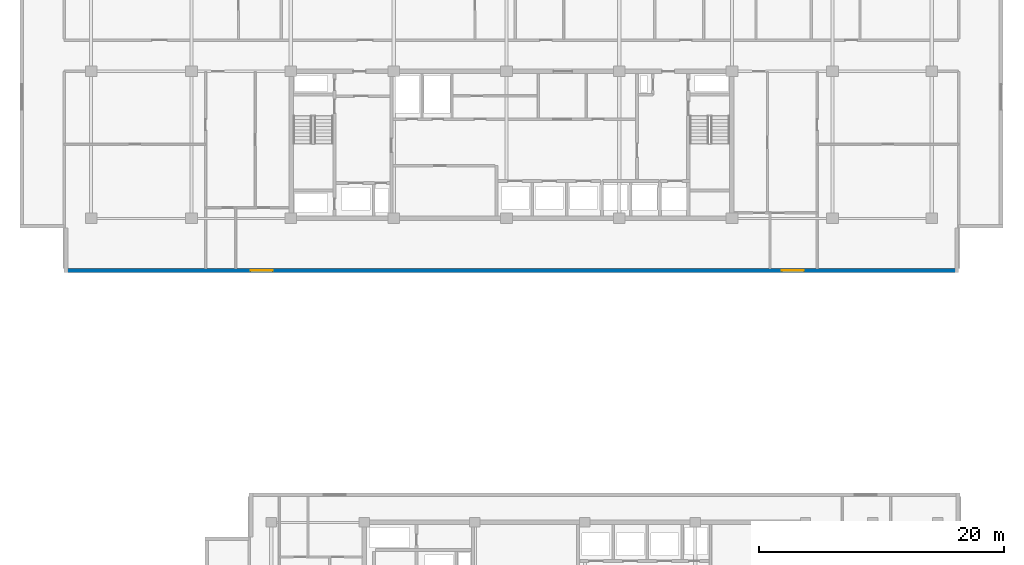
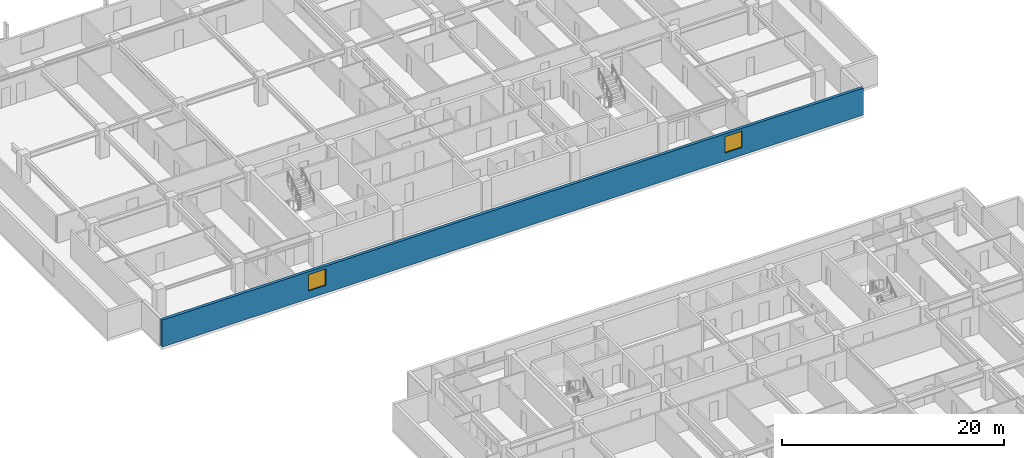
# One storey, part 8 of 21: 2 windows, 1 wall, 2 openings.
"""IFC4 building model written with IfcOpenShell, lengths in metres."""

from ifc_helpers import new_model, si_unit, direction, frame, frame_2d, origin, place, context, subcontext, project, spatial, rectangle, extrude, material, layer, layer_set, type_object, element, fill, save


model = new_model("IFC4")

# Units and contexts
model_context = context("Model", 3, precision=1e-05, world=origin(), true_north=direction((0.0, 1.0)))
body_context = subcontext(model_context, "Body", "Model", "MODEL_VIEW")
ifc_project = project(units=[si_unit("LENGTHUNIT", "METRE"), si_unit("AREAUNIT", "SQUARE_METRE"), si_unit("VOLUMEUNIT", "CUBIC_METRE"), si_unit("PLANEANGLEUNIT", "RADIAN"), si_unit("MASSUNIT", "GRAM", prefix="KILO")], contexts=[model_context])

# Site, building, storey
site_placement = place(None, origin())
site = spatial("IfcSite", under=ifc_project, at=site_placement, CompositionType="ELEMENT")
building_placement = place(site_placement, origin())
building = spatial("IfcBuilding", under=site, at=building_placement, Name="Korimba Cascade Residences", CompositionType="ELEMENT")
storey_placement = place(building_placement, frame((0.0, 0.0, 113.300048828125)))
storey = spatial("IfcBuildingStorey", under=building, at=storey_placement, Name="L32", CompositionType="ELEMENT", Elevation=113.300048828125)

# Wall, openings, windows
ifc_material_1 = material(Name="Precast concrete C40/50", Category="concrete")
ifc_layer = layer(ifc_material_1, 0.300048828125)
ifc_layer_set = layer_set([ifc_layer], Name="Precast concrete C40/50")
wall_type = type_object("IfcWallType", Name="EW-STONE-300", PredefinedType="STANDARD", material=ifc_layer_set)
wall_placement = place(storey_placement, frame((57.60009765625, 50.949951171875, 0.0), z_axis=(0.0, 0.0, 1.0), x_axis=(1.0, 0.0, 0.0)))
wall = element("IfcWall", 1, at=wall_placement, inside=storey, type_object=wall_type, Name="L32 T1 Perimeter Stone Wall E00", PredefinedType="STANDARD", context=body_context, shape_type="SweptSolid", body=[
    extrude(rectangle(XDim=73.0, YDim=0.300048828125, at=frame_2d((36.5, 0.0))), origin(), (0.0, 0.0, 1.0), 2.969970703125),
])
opening_1_placement = place(wall_placement, frame((15.22509765625, 0.0, 0.85009765625)))
opening_1 = element("IfcOpeningElement", 2, at=opening_1_placement, cuts=wall, Name="Opening W-02", PredefinedType="OPENING", context=body_context, shape_type="SweptSolid", body=[
    extrude(rectangle(XDim=1.800048828125, YDim=1.800048828125, at=frame_2d((0.89990234375, 0.89990234375))), frame((0.0, 0.16015625, 0.0), z_axis=(0.0, -1.0, 0.0), x_axis=(1.0, 0.0, 0.0)), (0.0, 0.0, 1.0), 0.320068359375),
])
opening_2_placement = place(wall_placement, frame((58.574951171875, 0.0, 0.85009765625)))
opening_2 = element("IfcOpeningElement", 3, at=opening_2_placement, cuts=wall, Name="Opening W-02", PredefinedType="OPENING", context=body_context, shape_type="SweptSolid", body=[
    extrude(rectangle(XDim=1.800048828125, YDim=1.800048828125, at=frame_2d((0.89990234375, 0.89990234375))), frame((0.0, 0.16015625, 0.0), z_axis=(0.0, -1.0, 0.0), x_axis=(1.0, 0.0, 0.0)), (0.0, 0.0, 1.0), 0.320068359375),
])
ifc_material_2 = material(Name="Double-Glazed Aluminium Window", Category="aluminium")
window_type = type_object("IfcWindowType", Name="WIN-BED-1800", PartitioningType="SINGLE_PANEL", PredefinedType="WINDOW", material=ifc_material_2)
window_1_placement = place(opening_1_placement, origin())
window_1 = element("IfcWindow", 4, at=window_1_placement, inside=storey, type_object=window_type, Name="L32 T1 South Corner Bedroom Window 1", OverallHeight=1.800048828125, OverallWidth=1.800048828125, PartitioningType="SINGLE_PANEL", PredefinedType="WINDOW", context=body_context, shape_type="SweptSolid", body=[
    extrude(rectangle(XDim=1.800048828125, YDim=1.800048828125, at=frame_2d((0.89990234375, 0.89990234375))), frame((0.0, 0.030029296875, 0.0), z_axis=(0.0, -1.0, 0.0), x_axis=(1.0, 0.0, 0.0)), (0.0, 0.0, 1.0), 0.06005859375),
])
fill(opening_1, window_1)
window_2_placement = place(opening_2_placement, origin())
window_2 = element("IfcWindow", 5, at=window_2_placement, inside=storey, type_object=window_type, Name="L32 T1 South Corner Bedroom Window 2", OverallHeight=1.800048828125, OverallWidth=1.800048828125, PartitioningType="SINGLE_PANEL", PredefinedType="WINDOW", context=body_context, shape_type="SweptSolid", body=[
    extrude(rectangle(XDim=1.800048828125, YDim=1.800048828125, at=frame_2d((0.89990234375, 0.89990234375))), frame((0.0, 0.030029296875, 0.0), z_axis=(0.0, -1.0, 0.0), x_axis=(1.0, 0.0, 0.0)), (0.0, 0.0, 1.0), 0.06005859375),
])
fill(opening_2, window_2)

save(model, "model.ifc")
